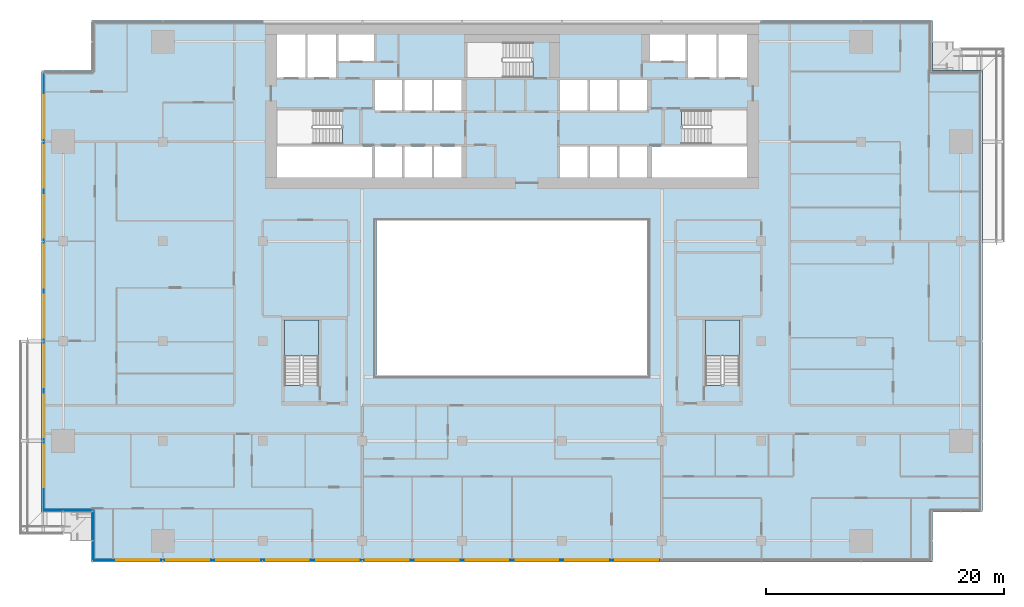
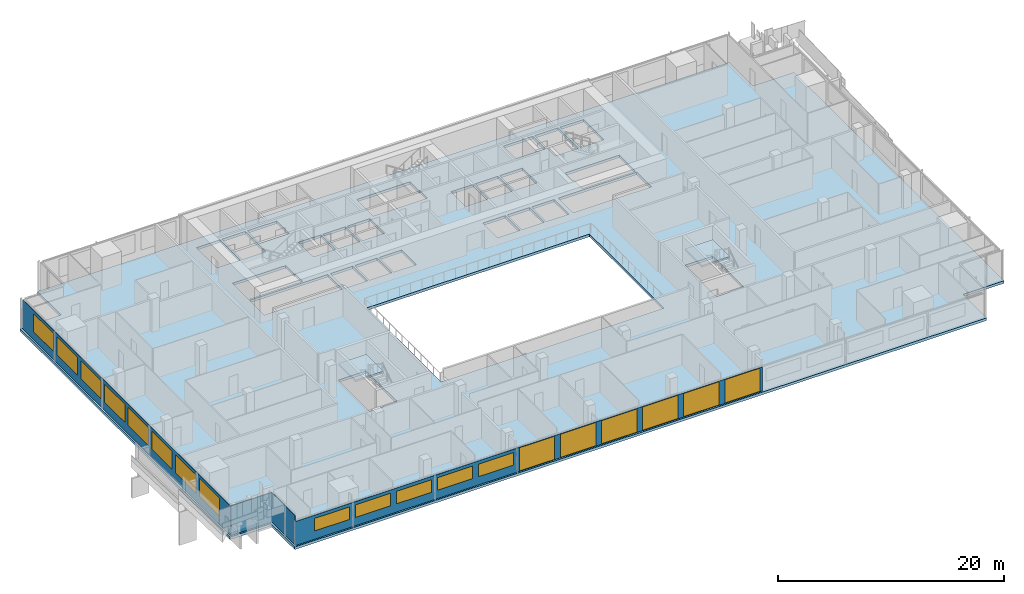
# One storey, part 14 of 27: 19 windows, 5 plates, 3 slabs, 19 openings, 6 elements without a shape of their own.
"""IFC4 building model written with IfcOpenShell, lengths in metres."""

from ifc_helpers import new_model, si_unit, direction, frame, frame_2d, origin, place, context, subcontext, project, spatial, polyline, rectangle, outline, extrude, material, layer, layer_set, type_object, element, fill, aggregate, save


model = new_model("IFC4")

# Units and contexts
model_context = context("Model", 3, precision=1e-05, world=origin(), true_north=direction((0.0, 1.0)))
body_context = subcontext(model_context, "Body", "Model", "MODEL_VIEW")
ifc_project = project(units=[si_unit("LENGTHUNIT", "METRE"), si_unit("AREAUNIT", "SQUARE_METRE"), si_unit("VOLUMEUNIT", "CUBIC_METRE"), si_unit("PLANEANGLEUNIT", "RADIAN"), si_unit("MASSUNIT", "GRAM", prefix="KILO")], contexts=[model_context])

# Site, building, storey
site_placement = place(None, origin())
site = spatial("IfcSite", under=ifc_project, at=site_placement, CompositionType="ELEMENT")
building_placement = place(site_placement, origin())
building = spatial("IfcBuilding", under=site, at=building_placement, Name="Saffron Gate Tower", CompositionType="ELEMENT")
storey_placement = place(building_placement, frame((0.0, 0.0, 134.85009765625)))
storey = spatial("IfcBuildingStorey", under=building, at=storey_placement, Name="L32", CompositionType="ELEMENT", Elevation=134.85009765625)

# Curtain wall, plates, openings, windows
ifc_material_1 = material(Name="Aluminium, bronze anodised", Category="aluminium")
curtain_wall_type_1 = type_object("IfcCurtainWallType", Name="CWS1 curtain wall front facade", PredefinedType="NOTDEFINED", material=ifc_material_1)
curtain_wall_1_placement = place(storey_placement, origin())
curtain_wall_1 = element("IfcCurtainWall", 1, at=curtain_wall_1_placement, inside=storey, type_object=curtain_wall_type_1, Name="CWS1 run 1", PredefinedType="NOTDEFINED")
ifc_material_2 = material(Name="Clear low-iron laminated glass", Category="glass")
ifc_layer_1 = layer(ifc_material_2, 0.028076171875)
ifc_layer_set_1 = layer_set([ifc_layer_1], Name="CWS1 clear glass")
plate_type_1 = type_object("IfcPlateType", Name="CWS1 clear glass", PredefinedType="CURTAIN_PANEL", material=ifc_layer_set_1)
plate_1_placement = place(storey_placement, frame((75.030029296875, 30.174072265625, 0.0), z_axis=(0.0, 0.0, 1.0), x_axis=(1.0, 0.0, 0.0)))
plate_1 = element("IfcPlate", 2, at=plate_1_placement, type_object=plate_type_1, Name="CWS1 clear glass panel", PredefinedType="CURTAIN_PANEL", context=body_context, shape_type="SweptSolid", body=[
    extrude(rectangle(XDim=25.139892578125, YDim=0.028076171875, at=frame_2d((12.56982421875, 0.0))), origin(), (0.0, 0.0, 1.0), 2.599853515625),
])
opening_1_placement = place(plate_1_placement, frame((0.27001953125, 0.0, 0.050048828125)))
opening_1 = element("IfcOpeningElement", 3, at=opening_1_placement, cuts=plate_1, Name="Opening WA", PredefinedType="OPENING", context=body_context, shape_type="SweptSolid", body=[
    extrude(rectangle(XDim=3.60009765625, YDim=2.5, at=frame_2d((1.800048828125, 1.25))), frame((0.0, 0.02392578125, 0.0), z_axis=(0.0, -1.0, 0.0), x_axis=(1.0, 0.0, 0.0)), (0.0, 0.0, 1.0), 0.048095703125),
])
opening_2_placement = place(plate_1_placement, frame((4.469970703125, 0.0, 0.050048828125)))
opening_2 = element("IfcOpeningElement", 4, at=opening_2_placement, cuts=plate_1, Name="Opening WA", PredefinedType="OPENING", context=body_context, shape_type="SweptSolid", body=[
    extrude(rectangle(XDim=3.60009765625, YDim=2.5, at=frame_2d((1.800048828125, 1.25))), frame((0.0, 0.02392578125, 0.0), z_axis=(0.0, -1.0, 0.0), x_axis=(1.0, 0.0, 0.0)), (0.0, 0.0, 1.0), 0.048095703125),
])
opening_3_placement = place(plate_1_placement, frame((8.669921875, 0.0, 0.050048828125)))
opening_3 = element("IfcOpeningElement", 5, at=opening_3_placement, cuts=plate_1, Name="Opening WA", PredefinedType="OPENING", context=body_context, shape_type="SweptSolid", body=[
    extrude(rectangle(XDim=3.60009765625, YDim=2.5, at=frame_2d((1.800048828125, 1.25))), frame((0.0, 0.02392578125, 0.0), z_axis=(0.0, -1.0, 0.0), x_axis=(1.0, 0.0, 0.0)), (0.0, 0.0, 1.0), 0.048095703125),
])
opening_4_placement = place(plate_1_placement, frame((12.8701171875, 0.0, 0.050048828125)))
opening_4 = element("IfcOpeningElement", 6, at=opening_4_placement, cuts=plate_1, Name="Opening WA", PredefinedType="OPENING", context=body_context, shape_type="SweptSolid", body=[
    extrude(rectangle(XDim=3.60009765625, YDim=2.5, at=frame_2d((1.800048828125, 1.25))), frame((0.0, 0.02392578125, 0.0), z_axis=(0.0, -1.0, 0.0), x_axis=(1.0, 0.0, 0.0)), (0.0, 0.0, 1.0), 0.048095703125),
])
opening_5_placement = place(plate_1_placement, frame((17.070068359375, 0.0, 0.050048828125)))
opening_5 = element("IfcOpeningElement", 7, at=opening_5_placement, cuts=plate_1, Name="Opening WA", PredefinedType="OPENING", context=body_context, shape_type="SweptSolid", body=[
    extrude(rectangle(XDim=3.60009765625, YDim=2.5, at=frame_2d((1.800048828125, 1.25))), frame((0.0, 0.02392578125, 0.0), z_axis=(0.0, -1.0, 0.0), x_axis=(1.0, 0.0, 0.0)), (0.0, 0.0, 1.0), 0.048095703125),
])
opening_6_placement = place(plate_1_placement, frame((21.27001953125, 0.0, 0.050048828125)))
opening_6 = element("IfcOpeningElement", 8, at=opening_6_placement, cuts=plate_1, Name="Opening WA", PredefinedType="OPENING", context=body_context, shape_type="SweptSolid", body=[
    extrude(rectangle(XDim=3.60009765625, YDim=2.5, at=frame_2d((1.800048828125, 1.25))), frame((0.0, 0.02392578125, 0.0), z_axis=(0.0, -1.0, 0.0), x_axis=(1.0, 0.0, 0.0)), (0.0, 0.0, 1.0), 0.048095703125),
])
ifc_material_3 = material(Name="Clear low-iron laminated glass in bronze frame", Category="glass")
ifc_layer_2 = layer(ifc_material_3, 0.06005859375)
ifc_layer_set_2 = layer_set([ifc_layer_2], Name="WA operable atrium unit 3600x2500")
window_type_1 = type_object("IfcWindowType", Name="WA operable atrium unit 3600x2500", PartitioningType="DOUBLE_PANEL_HORIZONTAL", PredefinedType="WINDOW", material=ifc_layer_set_2)
window_1_placement = place(opening_1_placement, origin())
window_1 = element("IfcWindow", 9, at=window_1_placement, type_object=window_type_1, Name="WA operable atrium unit", OverallHeight=2.5, OverallWidth=3.60009765625, PartitioningType="SINGLE_PANEL", PredefinedType="WINDOW", context=body_context, shape_type="SweptSolid", body=[
    extrude(rectangle(XDim=3.60009765625, YDim=2.5, at=frame_2d((1.800048828125, 1.25))), frame((0.0, 0.013671875, 0.0), z_axis=(0.0, -1.0, 0.0), x_axis=(1.0, 0.0, 0.0)), (0.0, 0.0, 1.0), 0.027587890625),
])
fill(opening_1, window_1)
window_2_placement = place(opening_2_placement, origin())
window_2 = element("IfcWindow", 10, at=window_2_placement, type_object=window_type_1, Name="WA operable atrium unit", OverallHeight=2.5, OverallWidth=3.60009765625, PartitioningType="SINGLE_PANEL", PredefinedType="WINDOW", context=body_context, shape_type="SweptSolid", body=[
    extrude(rectangle(XDim=3.60009765625, YDim=2.5, at=frame_2d((1.800048828125, 1.25))), frame((0.0, 0.013671875, 0.0), z_axis=(0.0, -1.0, 0.0), x_axis=(1.0, 0.0, 0.0)), (0.0, 0.0, 1.0), 0.027587890625),
])
fill(opening_2, window_2)
window_3_placement = place(opening_3_placement, origin())
window_3 = element("IfcWindow", 11, at=window_3_placement, type_object=window_type_1, Name="WA operable atrium unit", OverallHeight=2.5, OverallWidth=3.60009765625, PartitioningType="SINGLE_PANEL", PredefinedType="WINDOW", context=body_context, shape_type="SweptSolid", body=[
    extrude(rectangle(XDim=3.60009765625, YDim=2.5, at=frame_2d((1.800048828125, 1.25))), frame((0.0, 0.013671875, 0.0), z_axis=(0.0, -1.0, 0.0), x_axis=(1.0, 0.0, 0.0)), (0.0, 0.0, 1.0), 0.027587890625),
])
fill(opening_3, window_3)
window_4_placement = place(opening_4_placement, origin())
window_4 = element("IfcWindow", 12, at=window_4_placement, type_object=window_type_1, Name="WA operable atrium unit", OverallHeight=2.5, OverallWidth=3.60009765625, PartitioningType="SINGLE_PANEL", PredefinedType="WINDOW", context=body_context, shape_type="SweptSolid", body=[
    extrude(rectangle(XDim=3.60009765625, YDim=2.5, at=frame_2d((1.800048828125, 1.25))), frame((0.0, 0.013671875, 0.0), z_axis=(0.0, -1.0, 0.0), x_axis=(1.0, 0.0, 0.0)), (0.0, 0.0, 1.0), 0.027587890625),
])
fill(opening_4, window_4)
window_5_placement = place(opening_5_placement, origin())
window_5 = element("IfcWindow", 13, at=window_5_placement, type_object=window_type_1, Name="WA operable atrium unit", OverallHeight=2.5, OverallWidth=3.60009765625, PartitioningType="SINGLE_PANEL", PredefinedType="WINDOW", context=body_context, shape_type="SweptSolid", body=[
    extrude(rectangle(XDim=3.60009765625, YDim=2.5, at=frame_2d((1.800048828125, 1.25))), frame((0.0, 0.013671875, 0.0), z_axis=(0.0, -1.0, 0.0), x_axis=(1.0, 0.0, 0.0)), (0.0, 0.0, 1.0), 0.027587890625),
])
fill(opening_5, window_5)
window_6_placement = place(opening_6_placement, origin())
window_6 = element("IfcWindow", 14, at=window_6_placement, type_object=window_type_1, Name="WA operable atrium unit", OverallHeight=2.5, OverallWidth=3.60009765625, PartitioningType="SINGLE_PANEL", PredefinedType="WINDOW", context=body_context, shape_type="SweptSolid", body=[
    extrude(rectangle(XDim=3.60009765625, YDim=2.5, at=frame_2d((1.800048828125, 1.25))), frame((0.0, 0.013671875, 0.0), z_axis=(0.0, -1.0, 0.0), x_axis=(1.0, 0.0, 0.0)), (0.0, 0.0, 1.0), 0.027587890625),
])
fill(opening_6, window_6)
ifc_material_4 = material(Name="Fritted bronze-tinted laminated glass", Category="glass")
ifc_layer_3 = layer(ifc_material_4, 0.028076171875)
ifc_layer_set_3 = layer_set([ifc_layer_3], Name="CWS1 fixed glass")
plate_type_2 = type_object("IfcPlateType", Name="CWS1 fixed glass", PredefinedType="CURTAIN_PANEL", material=ifc_layer_set_3)
plate_2_placement = place(storey_placement, frame((52.387939453125, 30.174072265625, 0.0), z_axis=(0.0, 0.0, 1.0), x_axis=(1.0, 0.0, 0.0)))
plate_2 = element("IfcPlate", 15, at=plate_2_placement, type_object=plate_type_2, Name="CWS1 glass panel", PredefinedType="CURTAIN_PANEL", context=body_context, shape_type="SweptSolid", body=[
    extrude(rectangle(XDim=22.64208984375, YDim=0.028076171875, at=frame_2d((11.321044921875, 0.0))), origin(), (0.0, 0.0, 1.0), 2.599853515625),
])
opening_7_placement = place(plate_2_placement, frame((1.912109375, 0.0, 0.89990234375)))
opening_7 = element("IfcOpeningElement", 16, at=opening_7_placement, cuts=plate_2, Name="Opening W12", PredefinedType="OPENING", context=body_context, shape_type="SweptSolid", body=[
    extrude(rectangle(XDim=3.60009765625, YDim=1.35009765625, at=frame_2d((1.800048828125, 0.675048828125))), frame((0.0, 0.02392578125, 0.0), z_axis=(0.0, -1.0, 0.0), x_axis=(1.0, 0.0, 0.0)), (0.0, 0.0, 1.0), 0.048095703125),
])
opening_8_placement = place(plate_2_placement, frame((6.112060546875, 0.0, 0.89990234375)))
opening_8 = element("IfcOpeningElement", 17, at=opening_8_placement, cuts=plate_2, Name="Opening W12", PredefinedType="OPENING", context=body_context, shape_type="SweptSolid", body=[
    extrude(rectangle(XDim=3.60009765625, YDim=1.35009765625, at=frame_2d((1.800048828125, 0.675048828125))), frame((0.0, 0.02392578125, 0.0), z_axis=(0.0, -1.0, 0.0), x_axis=(1.0, 0.0, 0.0)), (0.0, 0.0, 1.0), 0.048095703125),
])
opening_9_placement = place(plate_2_placement, frame((10.31201171875, 0.0, 0.89990234375)))
opening_9 = element("IfcOpeningElement", 18, at=opening_9_placement, cuts=plate_2, Name="Opening W12", PredefinedType="OPENING", context=body_context, shape_type="SweptSolid", body=[
    extrude(rectangle(XDim=3.60009765625, YDim=1.35009765625, at=frame_2d((1.800048828125, 0.675048828125))), frame((0.0, 0.02392578125, 0.0), z_axis=(0.0, -1.0, 0.0), x_axis=(1.0, 0.0, 0.0)), (0.0, 0.0, 1.0), 0.048095703125),
])
opening_10_placement = place(plate_2_placement, frame((14.511962890625, 0.0, 0.89990234375)))
opening_10 = element("IfcOpeningElement", 19, at=opening_10_placement, cuts=plate_2, Name="Opening W12", PredefinedType="OPENING", context=body_context, shape_type="SweptSolid", body=[
    extrude(rectangle(XDim=3.60009765625, YDim=1.35009765625, at=frame_2d((1.800048828125, 0.675048828125))), frame((0.0, 0.02392578125, 0.0), z_axis=(0.0, -1.0, 0.0), x_axis=(1.0, 0.0, 0.0)), (0.0, 0.0, 1.0), 0.048095703125),
])
opening_11_placement = place(plate_2_placement, frame((18.7119140625, 0.0, 0.89990234375)))
opening_11 = element("IfcOpeningElement", 20, at=opening_11_placement, cuts=plate_2, Name="Opening W12", PredefinedType="OPENING", context=body_context, shape_type="SweptSolid", body=[
    extrude(rectangle(XDim=3.60009765625, YDim=1.35009765625, at=frame_2d((1.800048828125, 0.675048828125))), frame((0.0, 0.02392578125, 0.0), z_axis=(0.0, -1.0, 0.0), x_axis=(1.0, 0.0, 0.0)), (0.0, 0.0, 1.0), 0.048095703125),
])
ifc_material_5 = material(Name="Fritted bronze-tinted laminated glass in bronze frame", Category="glass")
ifc_layer_4 = layer(ifc_material_5, 0.06005859375)
ifc_layer_set_4 = layer_set([ifc_layer_4], Name="W12 operable panel 3600x1350")
window_type_2 = type_object("IfcWindowType", Name="W12 operable panel 3600x1350", PartitioningType="DOUBLE_PANEL_HORIZONTAL", PredefinedType="WINDOW", material=ifc_layer_set_4)
window_7_placement = place(opening_7_placement, origin())
window_7 = element("IfcWindow", 21, at=window_7_placement, type_object=window_type_2, Name="W12 operable panel", OverallHeight=1.35009765625, OverallWidth=3.60009765625, PartitioningType="SINGLE_PANEL", PredefinedType="WINDOW", context=body_context, shape_type="SweptSolid", body=[
    extrude(rectangle(XDim=3.60009765625, YDim=1.35009765625, at=frame_2d((1.800048828125, 0.675048828125))), frame((0.0, 0.013671875, 0.0), z_axis=(0.0, -1.0, 0.0), x_axis=(1.0, 0.0, 0.0)), (0.0, 0.0, 1.0), 0.027587890625),
])
fill(opening_7, window_7)
window_8_placement = place(opening_8_placement, origin())
window_8 = element("IfcWindow", 22, at=window_8_placement, type_object=window_type_2, Name="W12 operable panel", OverallHeight=1.35009765625, OverallWidth=3.60009765625, PartitioningType="SINGLE_PANEL", PredefinedType="WINDOW", context=body_context, shape_type="SweptSolid", body=[
    extrude(rectangle(XDim=3.60009765625, YDim=1.35009765625, at=frame_2d((1.800048828125, 0.675048828125))), frame((0.0, 0.013671875, 0.0), z_axis=(0.0, -1.0, 0.0), x_axis=(1.0, 0.0, 0.0)), (0.0, 0.0, 1.0), 0.027587890625),
])
fill(opening_8, window_8)
window_9_placement = place(opening_9_placement, origin())
window_9 = element("IfcWindow", 23, at=window_9_placement, type_object=window_type_2, Name="W12 operable panel", OverallHeight=1.35009765625, OverallWidth=3.60009765625, PartitioningType="SINGLE_PANEL", PredefinedType="WINDOW", context=body_context, shape_type="SweptSolid", body=[
    extrude(rectangle(XDim=3.60009765625, YDim=1.35009765625, at=frame_2d((1.800048828125, 0.675048828125))), frame((0.0, 0.013671875, 0.0), z_axis=(0.0, -1.0, 0.0), x_axis=(1.0, 0.0, 0.0)), (0.0, 0.0, 1.0), 0.027587890625),
])
fill(opening_9, window_9)
window_10_placement = place(opening_10_placement, origin())
window_10 = element("IfcWindow", 24, at=window_10_placement, type_object=window_type_2, Name="W12 operable panel", OverallHeight=1.35009765625, OverallWidth=3.60009765625, PartitioningType="SINGLE_PANEL", PredefinedType="WINDOW", context=body_context, shape_type="SweptSolid", body=[
    extrude(rectangle(XDim=3.60009765625, YDim=1.35009765625, at=frame_2d((1.800048828125, 0.675048828125))), frame((0.0, 0.013671875, 0.0), z_axis=(0.0, -1.0, 0.0), x_axis=(1.0, 0.0, 0.0)), (0.0, 0.0, 1.0), 0.027587890625),
])
fill(opening_10, window_10)
window_11_placement = place(opening_11_placement, origin())
window_11 = element("IfcWindow", 25, at=window_11_placement, type_object=window_type_2, Name="W12 operable panel", OverallHeight=1.35009765625, OverallWidth=3.60009765625, PartitioningType="SINGLE_PANEL", PredefinedType="WINDOW", context=body_context, shape_type="SweptSolid", body=[
    extrude(rectangle(XDim=3.60009765625, YDim=1.35009765625, at=frame_2d((1.800048828125, 0.675048828125))), frame((0.0, 0.013671875, 0.0), z_axis=(0.0, -1.0, 0.0), x_axis=(1.0, 0.0, 0.0)), (0.0, 0.0, 1.0), 0.027587890625),
])
fill(opening_11, window_11)
aggregate(curtain_wall_1, [plate_2, plate_1, window_7, window_8, window_9, window_10, window_11, window_1, window_2, window_3, window_4, window_5, window_6])

# Curtain wall, plate, openings, windows
curtain_wall_type_2 = type_object("IfcCurtainWallType", Name="CWS2 curtain wall side facades", PredefinedType="NOTDEFINED", material=ifc_material_1)
curtain_wall_2_placement = place(storey_placement, origin())
curtain_wall_2 = element("IfcCurtainWall", 26, at=curtain_wall_2_placement, inside=storey, type_object=curtain_wall_type_2, Name="CWS2 run 10", PredefinedType="NOTDEFINED")
ifc_layer_5 = layer(ifc_material_4, 0.028076171875)
ifc_layer_set_5 = layer_set([ifc_layer_5], Name="CWS2 fixed glass")
plate_type_3 = type_object("IfcPlateType", Name="CWS2 fixed glass", PredefinedType="CURTAIN_PANEL", material=ifc_layer_set_5)
plate_3_placement = place(storey_placement, frame((48.174072265625, 71.2119140625, 0.0), z_axis=(0.0, 0.0, 1.0), x_axis=(0.0, -1.0, 0.0)))
plate_3 = element("IfcPlate", 27, at=plate_3_placement, type_object=plate_type_3, Name="CWS2 glass panel", PredefinedType="CURTAIN_PANEL", context=body_context, shape_type="SweptSolid", body=[
    extrude(rectangle(XDim=36.823974609375, YDim=0.028076171875, at=frame_2d((18.412109375, 0.0))), origin(), (0.0, 0.0, 1.0), 3.199951171875),
])
opening_12_placement = place(plate_3_placement, frame((1.912109375, 0.0, 0.89990234375)))
opening_12 = element("IfcOpeningElement", 28, at=opening_12_placement, cuts=plate_3, Name="Opening W1", PredefinedType="OPENING", context=body_context, shape_type="SweptSolid", body=[
    extrude(rectangle(XDim=3.60009765625, YDim=1.949951171875, at=frame_2d((1.800048828125, 0.97509765625))), frame((0.0, 0.02392578125, 0.0), z_axis=(0.0, -1.0, 0.0), x_axis=(1.0, 0.0, 0.0)), (0.0, 0.0, 1.0), 0.048095703125),
])
opening_13_placement = place(plate_3_placement, frame((6.112060546875, 0.0, 0.89990234375)))
opening_13 = element("IfcOpeningElement", 29, at=opening_13_placement, cuts=plate_3, Name="Opening W1", PredefinedType="OPENING", context=body_context, shape_type="SweptSolid", body=[
    extrude(rectangle(XDim=3.60009765625, YDim=1.949951171875, at=frame_2d((1.800048828125, 0.97509765625))), frame((0.0, 0.02392578125, 0.0), z_axis=(0.0, -1.0, 0.0), x_axis=(1.0, 0.0, 0.0)), (0.0, 0.0, 1.0), 0.048095703125),
])
opening_14_placement = place(plate_3_placement, frame((10.31201171875, 0.0, 0.89990234375)))
opening_14 = element("IfcOpeningElement", 30, at=opening_14_placement, cuts=plate_3, Name="Opening W1", PredefinedType="OPENING", context=body_context, shape_type="SweptSolid", body=[
    extrude(rectangle(XDim=3.60009765625, YDim=1.949951171875, at=frame_2d((1.800048828125, 0.97509765625))), frame((0.0, 0.02392578125, 0.0), z_axis=(0.0, -1.0, 0.0), x_axis=(1.0, 0.0, 0.0)), (0.0, 0.0, 1.0), 0.048095703125),
])
opening_15_placement = place(plate_3_placement, frame((14.511962890625, 0.0, 0.89990234375)))
opening_15 = element("IfcOpeningElement", 31, at=opening_15_placement, cuts=plate_3, Name="Opening W1", PredefinedType="OPENING", context=body_context, shape_type="SweptSolid", body=[
    extrude(rectangle(XDim=3.60009765625, YDim=1.949951171875, at=frame_2d((1.800048828125, 0.97509765625))), frame((0.0, 0.02392578125, 0.0), z_axis=(0.0, -1.0, 0.0), x_axis=(1.0, 0.0, 0.0)), (0.0, 0.0, 1.0), 0.048095703125),
])
opening_16_placement = place(plate_3_placement, frame((18.7119140625, 0.0, 0.89990234375)))
opening_16 = element("IfcOpeningElement", 32, at=opening_16_placement, cuts=plate_3, Name="Opening W1", PredefinedType="OPENING", context=body_context, shape_type="SweptSolid", body=[
    extrude(rectangle(XDim=3.60009765625, YDim=1.949951171875, at=frame_2d((1.800048828125, 0.97509765625))), frame((0.0, 0.02392578125, 0.0), z_axis=(0.0, -1.0, 0.0), x_axis=(1.0, 0.0, 0.0)), (0.0, 0.0, 1.0), 0.048095703125),
])
opening_17_placement = place(plate_3_placement, frame((22.912109375, 0.0, 0.89990234375)))
opening_17 = element("IfcOpeningElement", 33, at=opening_17_placement, cuts=plate_3, Name="Opening W1", PredefinedType="OPENING", context=body_context, shape_type="SweptSolid", body=[
    extrude(rectangle(XDim=3.60009765625, YDim=1.949951171875, at=frame_2d((1.800048828125, 0.97509765625))), frame((0.0, 0.02392578125, 0.0), z_axis=(0.0, -1.0, 0.0), x_axis=(1.0, 0.0, 0.0)), (0.0, 0.0, 1.0), 0.048095703125),
])
opening_18_placement = place(plate_3_placement, frame((27.112060546875, 0.0, 0.89990234375)))
opening_18 = element("IfcOpeningElement", 34, at=opening_18_placement, cuts=plate_3, Name="Opening W1", PredefinedType="OPENING", context=body_context, shape_type="SweptSolid", body=[
    extrude(rectangle(XDim=3.60009765625, YDim=1.949951171875, at=frame_2d((1.800048828125, 0.97509765625))), frame((0.0, 0.02392578125, 0.0), z_axis=(0.0, -1.0, 0.0), x_axis=(1.0, 0.0, 0.0)), (0.0, 0.0, 1.0), 0.048095703125),
])
opening_19_placement = place(plate_3_placement, frame((31.31201171875, 0.0, 0.89990234375)))
opening_19 = element("IfcOpeningElement", 35, at=opening_19_placement, cuts=plate_3, Name="Opening W1", PredefinedType="OPENING", context=body_context, shape_type="SweptSolid", body=[
    extrude(rectangle(XDim=3.60009765625, YDim=1.949951171875, at=frame_2d((1.800048828125, 0.97509765625))), frame((0.0, 0.02392578125, 0.0), z_axis=(0.0, -1.0, 0.0), x_axis=(1.0, 0.0, 0.0)), (0.0, 0.0, 1.0), 0.048095703125),
])
ifc_layer_6 = layer(ifc_material_5, 0.06005859375)
ifc_layer_set_6 = layer_set([ifc_layer_6], Name="W1 operable panel 3600x1950")
window_type_3 = type_object("IfcWindowType", Name="W1 operable panel 3600x1950", PartitioningType="DOUBLE_PANEL_HORIZONTAL", PredefinedType="WINDOW", material=ifc_layer_set_6)
window_12_placement = place(opening_12_placement, origin())
window_12 = element("IfcWindow", 36, at=window_12_placement, type_object=window_type_3, Name="W1 operable panel", OverallHeight=1.949951171875, OverallWidth=3.60009765625, PartitioningType="SINGLE_PANEL", PredefinedType="WINDOW", context=body_context, shape_type="SweptSolid", body=[
    extrude(rectangle(XDim=3.60009765625, YDim=1.949951171875, at=frame_2d((1.800048828125, 0.97509765625))), frame((0.0, 0.013671875, 0.0), z_axis=(0.0, -1.0, 0.0), x_axis=(1.0, 0.0, 0.0)), (0.0, 0.0, 1.0), 0.027587890625),
])
fill(opening_12, window_12)
window_13_placement = place(opening_13_placement, origin())
window_13 = element("IfcWindow", 37, at=window_13_placement, type_object=window_type_3, Name="W1 operable panel", OverallHeight=1.949951171875, OverallWidth=3.60009765625, PartitioningType="SINGLE_PANEL", PredefinedType="WINDOW", context=body_context, shape_type="SweptSolid", body=[
    extrude(rectangle(XDim=3.60009765625, YDim=1.949951171875, at=frame_2d((1.800048828125, 0.97509765625))), frame((0.0, 0.013671875, 0.0), z_axis=(0.0, -1.0, 0.0), x_axis=(1.0, 0.0, 0.0)), (0.0, 0.0, 1.0), 0.027587890625),
])
fill(opening_13, window_13)
window_14_placement = place(opening_14_placement, origin())
window_14 = element("IfcWindow", 38, at=window_14_placement, type_object=window_type_3, Name="W1 operable panel", OverallHeight=1.949951171875, OverallWidth=3.60009765625, PartitioningType="SINGLE_PANEL", PredefinedType="WINDOW", context=body_context, shape_type="SweptSolid", body=[
    extrude(rectangle(XDim=3.60009765625, YDim=1.949951171875, at=frame_2d((1.800048828125, 0.97509765625))), frame((0.0, 0.013671875, 0.0), z_axis=(0.0, -1.0, 0.0), x_axis=(1.0, 0.0, 0.0)), (0.0, 0.0, 1.0), 0.027587890625),
])
fill(opening_14, window_14)
window_15_placement = place(opening_15_placement, origin())
window_15 = element("IfcWindow", 39, at=window_15_placement, type_object=window_type_3, Name="W1 operable panel", OverallHeight=1.949951171875, OverallWidth=3.60009765625, PartitioningType="SINGLE_PANEL", PredefinedType="WINDOW", context=body_context, shape_type="SweptSolid", body=[
    extrude(rectangle(XDim=3.60009765625, YDim=1.949951171875, at=frame_2d((1.800048828125, 0.97509765625))), frame((0.0, 0.013671875, 0.0), z_axis=(0.0, -1.0, 0.0), x_axis=(1.0, 0.0, 0.0)), (0.0, 0.0, 1.0), 0.027587890625),
])
fill(opening_15, window_15)
window_16_placement = place(opening_16_placement, origin())
window_16 = element("IfcWindow", 40, at=window_16_placement, type_object=window_type_3, Name="W1 operable panel", OverallHeight=1.949951171875, OverallWidth=3.60009765625, PartitioningType="SINGLE_PANEL", PredefinedType="WINDOW", context=body_context, shape_type="SweptSolid", body=[
    extrude(rectangle(XDim=3.60009765625, YDim=1.949951171875, at=frame_2d((1.800048828125, 0.97509765625))), frame((0.0, 0.013671875, 0.0), z_axis=(0.0, -1.0, 0.0), x_axis=(1.0, 0.0, 0.0)), (0.0, 0.0, 1.0), 0.027587890625),
])
fill(opening_16, window_16)
window_17_placement = place(opening_17_placement, origin())
window_17 = element("IfcWindow", 41, at=window_17_placement, type_object=window_type_3, Name="W1 operable panel", OverallHeight=1.949951171875, OverallWidth=3.60009765625, PartitioningType="SINGLE_PANEL", PredefinedType="WINDOW", context=body_context, shape_type="SweptSolid", body=[
    extrude(rectangle(XDim=3.60009765625, YDim=1.949951171875, at=frame_2d((1.800048828125, 0.97509765625))), frame((0.0, 0.013671875, 0.0), z_axis=(0.0, -1.0, 0.0), x_axis=(1.0, 0.0, 0.0)), (0.0, 0.0, 1.0), 0.027587890625),
])
fill(opening_17, window_17)
window_18_placement = place(opening_18_placement, origin())
window_18 = element("IfcWindow", 42, at=window_18_placement, type_object=window_type_3, Name="W1 operable panel", OverallHeight=1.949951171875, OverallWidth=3.60009765625, PartitioningType="SINGLE_PANEL", PredefinedType="WINDOW", context=body_context, shape_type="SweptSolid", body=[
    extrude(rectangle(XDim=3.60009765625, YDim=1.949951171875, at=frame_2d((1.800048828125, 0.97509765625))), frame((0.0, 0.013671875, 0.0), z_axis=(0.0, -1.0, 0.0), x_axis=(1.0, 0.0, 0.0)), (0.0, 0.0, 1.0), 0.027587890625),
])
fill(opening_18, window_18)
window_19_placement = place(opening_19_placement, origin())
window_19 = element("IfcWindow", 43, at=window_19_placement, type_object=window_type_3, Name="W1 operable panel", OverallHeight=1.949951171875, OverallWidth=3.60009765625, PartitioningType="SINGLE_PANEL", PredefinedType="WINDOW", context=body_context, shape_type="SweptSolid", body=[
    extrude(rectangle(XDim=3.60009765625, YDim=1.949951171875, at=frame_2d((1.800048828125, 0.97509765625))), frame((0.0, 0.013671875, 0.0), z_axis=(0.0, -1.0, 0.0), x_axis=(1.0, 0.0, 0.0)), (0.0, 0.0, 1.0), 0.027587890625),
])
fill(opening_19, window_19)
aggregate(curtain_wall_2, [plate_3, window_12, window_13, window_14, window_15, window_16, window_17, window_18, window_19])

# Curtain wall, plate
curtain_wall_type_3 = type_object("IfcCurtainWallType", Name="CWS4 curtain wall corner returns", PredefinedType="NOTDEFINED", material=ifc_material_1)
curtain_wall_3_placement = place(storey_placement, origin())
curtain_wall_3 = element("IfcCurtainWall", 44, at=curtain_wall_3_placement, inside=storey, type_object=curtain_wall_type_3, Name="CWS4 run 11", PredefinedType="NOTDEFINED")
ifc_layer_7 = layer(ifc_material_4, 0.028076171875)
ifc_layer_set_7 = layer_set([ifc_layer_7], Name="CWS4 fixed glass")
plate_type_4 = type_object("IfcPlateType", Name="CWS4 fixed glass", PredefinedType="CURTAIN_PANEL", material=ifc_layer_set_7)
plate_4_placement = place(storey_placement, frame((48.18798828125, 34.3740234375, 0.0), z_axis=(0.0, 0.0, 1.0), x_axis=(1.0, 0.0, 0.0)))
plate_4 = element("IfcPlate", 45, at=plate_4_placement, type_object=plate_type_4, Name="CWS4 glass panel", PredefinedType="CURTAIN_PANEL", context=body_context, shape_type="SweptSolid", body=[
    extrude(rectangle(XDim=4.172119140625, YDim=0.028076171875, at=frame_2d((2.0859375, 0.0))), origin(), (0.0, 0.0, 1.0), 3.199951171875),
])
aggregate(curtain_wall_3, [plate_4])

curtain_wall_4_placement = place(storey_placement, origin())
curtain_wall_4 = element("IfcCurtainWall", 46, at=curtain_wall_4_placement, inside=storey, type_object=curtain_wall_type_3, Name="CWS4 run 12", PredefinedType="NOTDEFINED")
plate_5_placement = place(storey_placement, frame((52.3740234375, 34.360107421875, 0.0), z_axis=(0.0, 0.0, 1.0), x_axis=(0.0, -1.0, 0.0)))
plate_5 = element("IfcPlate", 47, at=plate_5_placement, type_object=plate_type_4, Name="CWS4 glass panel", PredefinedType="CURTAIN_PANEL", context=body_context, shape_type="SweptSolid", body=[
    extrude(rectangle(XDim=4.172119140625, YDim=0.028076171875, at=frame_2d((2.0859375, 0.0))), origin(), (0.0, 0.0, 1.0), 3.199951171875),
])
aggregate(curtain_wall_4, [plate_5])

# Slab
ifc_material_6 = material(Name="Concrete C40", Category="concrete")
ifc_layer_8 = layer(ifc_material_6, 0.280029296875)
ifc_layer_set_8 = layer_set([ifc_layer_8], Name="S2 FLOOR SLAB 280 CONCRETE C40")
slab_type_1 = type_object("IfcSlabType", Name="S2 FLOOR SLAB 280 CONCRETE C40", PredefinedType="FLOOR", material=ifc_layer_set_8)
slab_1_placement = place(storey_placement, frame((0.0, 0.0, -0.280029296875)))
element("IfcSlab", 48, at=slab_1_placement, inside=storey, type_object=slab_type_1, Name="S2 FLOOR SLAB", PredefinedType="FLOOR", context=body_context, shape_type="SweptSolid", body=[
    extrude(outline(polyline([(48.0, 34.199951171875), (52.199951171875, 34.199951171875), (52.199951171875, 30.0), (123.0, 30.0), (123.0, 34.199951171875), (127.199951171875, 34.199951171875), (127.199951171875, 71.39990234375), (123.0, 71.39990234375), (123.0, 75.60009765625), (52.199951171875, 75.60009765625), (52.199951171875, 71.39990234375), (48.0, 71.39990234375), (48.0, 34.199951171875)]), holes=[polyline([(67.800048828125, 62.39990234375), (67.800048828125, 65.0), (75.800048828125, 65.0), (75.800048828125, 62.39990234375), (67.800048828125, 62.39990234375)]), polyline([(67.800048828125, 65.199951171875), (67.800048828125, 68.050048828125), (73.25, 68.050048828125), (73.25, 66.550048828125), (73.34912109375, 66.550048828125), (73.34912109375, 65.199951171875), (67.800048828125, 65.199951171875)]), polyline([(67.800048828125, 70.800048828125), (67.800048828125, 74.39990234375), (70.199951171875, 74.39990234375), (70.199951171875, 70.800048828125), (67.800048828125, 70.800048828125)]), polyline([(68.449951171875, 44.85107421875), (68.449951171875, 50.39990234375), (71.300048828125, 50.39990234375), (71.300048828125, 44.949951171875), (69.800048828125, 44.949951171875), (69.800048828125, 44.85107421875), (68.449951171875, 44.85107421875)]), polyline([(70.39990234375, 70.800048828125), (70.39990234375, 74.39990234375), (72.800048828125, 74.39990234375), (72.800048828125, 70.800048828125), (70.39990234375, 70.800048828125)]), polyline([(73.0, 72.199951171875), (73.0, 74.39990234375), (76.0, 74.39990234375), (76.0, 72.199951171875), (73.0, 72.199951171875)]), polyline([(76.050048828125, 62.39990234375), (76.050048828125, 65.0), (78.35009765625, 65.0), (78.35009765625, 62.39990234375), (76.050048828125, 62.39990234375)]), polyline([(76.050048828125, 68.0), (76.050048828125, 70.60009765625), (78.35009765625, 70.60009765625), (78.35009765625, 68.0), (76.050048828125, 68.0)]), polyline([(76.199951171875, 45.60009765625), (76.199951171875, 58.800048828125), (99.0, 58.800048828125), (99.0, 45.60009765625), (76.199951171875, 45.60009765625)]), polyline([(78.550048828125, 62.39990234375), (78.550048828125, 65.0), (80.85009765625, 65.0), (80.85009765625, 62.39990234375), (78.550048828125, 62.39990234375)]), polyline([(78.550048828125, 68.0), (78.550048828125, 70.60009765625), (80.85009765625, 70.60009765625), (80.85009765625, 68.0), (78.550048828125, 68.0)]), polyline([(81.050048828125, 62.39990234375), (81.050048828125, 65.0), (83.35009765625, 65.0), (83.35009765625, 62.39990234375), (81.050048828125, 62.39990234375)]), polyline([(81.050048828125, 68.0), (81.050048828125, 70.60009765625), (83.35009765625, 70.60009765625), (83.35009765625, 68.0), (81.050048828125, 68.0)]), polyline([(83.800048828125, 70.800048828125), (83.800048828125, 73.75), (89.25, 73.75), (89.25, 72.14990234375), (89.34912109375, 72.14990234375), (89.34912109375, 70.800048828125), (83.800048828125, 70.800048828125)]), polyline([(91.64990234375, 62.39990234375), (91.64990234375, 65.0), (93.949951171875, 65.0), (93.949951171875, 62.39990234375), (91.64990234375, 62.39990234375)]), polyline([(91.64990234375, 68.0), (91.64990234375, 70.60009765625), (93.949951171875, 70.60009765625), (93.949951171875, 68.0), (91.64990234375, 68.0)]), polyline([(94.14990234375, 62.39990234375), (94.14990234375, 65.0), (96.449951171875, 65.0), (96.449951171875, 62.39990234375), (94.14990234375, 62.39990234375)]), polyline([(94.14990234375, 68.0), (94.14990234375, 70.60009765625), (96.449951171875, 70.60009765625), (96.449951171875, 68.0), (94.14990234375, 68.0)]), polyline([(96.64990234375, 62.39990234375), (96.64990234375, 65.0), (98.949951171875, 65.0), (98.949951171875, 62.39990234375), (96.64990234375, 62.39990234375)]), polyline([(96.64990234375, 68.0), (96.64990234375, 70.60009765625), (98.949951171875, 70.60009765625), (98.949951171875, 68.0), (96.64990234375, 68.0)]), polyline([(99.199951171875, 72.199951171875), (99.199951171875, 74.39990234375), (102.199951171875, 74.39990234375), (102.199951171875, 72.199951171875), (99.199951171875, 72.199951171875)]), polyline([(99.39990234375, 62.39990234375), (99.39990234375, 65.0), (107.39990234375, 65.0), (107.39990234375, 62.39990234375), (99.39990234375, 62.39990234375)]), polyline([(101.85107421875, 66.699951171875), (101.85107421875, 68.050048828125), (107.39990234375, 68.050048828125), (107.39990234375, 65.199951171875), (101.949951171875, 65.199951171875), (101.949951171875, 66.699951171875), (101.85107421875, 66.699951171875)]), polyline([(102.39990234375, 70.800048828125), (102.39990234375, 74.39990234375), (104.800048828125, 74.39990234375), (104.800048828125, 70.800048828125), (102.39990234375, 70.800048828125)]), polyline([(103.89990234375, 44.85107421875), (103.89990234375, 50.39990234375), (106.75, 50.39990234375), (106.75, 44.949951171875), (105.25, 44.949951171875), (105.25, 44.85107421875), (103.89990234375, 44.85107421875)]), polyline([(105.0, 70.800048828125), (105.0, 74.39990234375), (107.39990234375, 74.39990234375), (107.39990234375, 70.800048828125), (105.0, 70.800048828125)])]), origin(), (0.0, 0.0, 1.0), 0.280029296875),
])

# Stair, slab
stair_type = type_object("IfcStairType", Name="ST7 Stair 1350 wide, 20 risers of 180", PredefinedType="HALF_TURN_STAIR", material=ifc_material_6)
stair_1_placement = place(storey_placement, origin())
stair_1 = element("IfcStair", 49, at=stair_1_placement, inside=storey, type_object=stair_type, Name="L32 Exit stair D", PredefinedType="HALF_TURN_STAIR")
ifc_layer_9 = layer(ifc_material_6, 0.199951171875)
ifc_layer_set_9 = layer_set([ifc_layer_9], Name="SL1 Stair landing 200")
slab_type_2 = type_object("IfcSlabType", Name="SL1 Stair landing 200", PredefinedType="LANDING", material=ifc_layer_set_9)
slab_2_placement = place(storey_placement, frame((0.0, 0.0, 1.599853515625)))
slab_2 = element("IfcSlab", 50, at=slab_2_placement, type_object=slab_type_2, Name="ST-D landing 1", PredefinedType="LANDING", context=body_context, shape_type="SweptSolid", body=[
    extrude(outline(polyline([(71.300048828125, 47.3701171875), (71.300048828125, 50.39990234375), (68.449951171875, 50.39990234375), (68.449951171875, 47.3701171875), (71.300048828125, 47.3701171875)])), origin(), (0.0, 0.0, 1.0), 0.199951171875),
])
aggregate(stair_1, [slab_2])

stair_2_placement = place(storey_placement, origin())
stair_2 = element("IfcStair", 51, at=stair_2_placement, inside=storey, type_object=stair_type, Name="L32 Exit stair E", PredefinedType="HALF_TURN_STAIR")
slab_3_placement = place(storey_placement, frame((0.0, 0.0, 1.599853515625)))
slab_3 = element("IfcSlab", 52, at=slab_3_placement, type_object=slab_type_2, Name="ST-E landing 1", PredefinedType="LANDING", context=body_context, shape_type="SweptSolid", body=[
    extrude(outline(polyline([(106.75, 47.3701171875), (106.75, 50.39990234375), (103.89990234375, 50.39990234375), (103.89990234375, 47.3701171875), (106.75, 47.3701171875)])), origin(), (0.0, 0.0, 1.0), 0.199951171875),
])
aggregate(stair_2, [slab_3])

save(model, "model.ifc")
